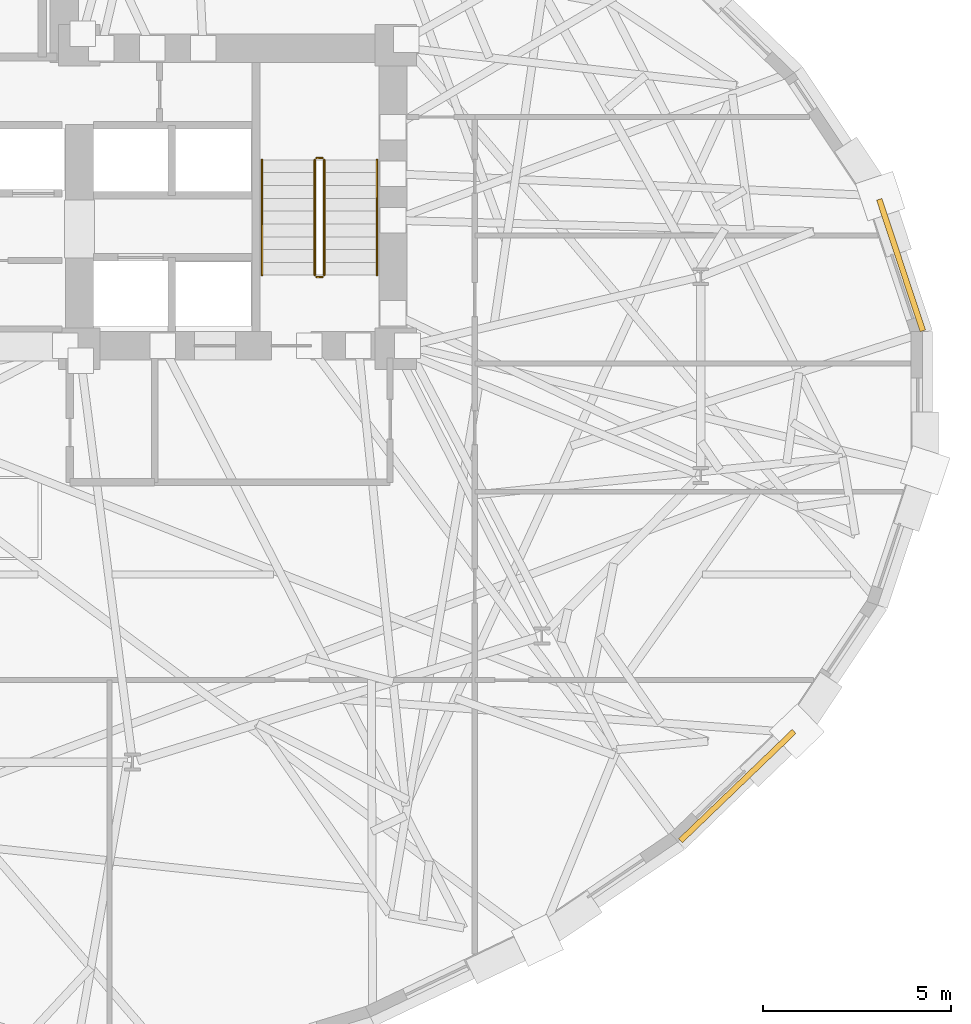
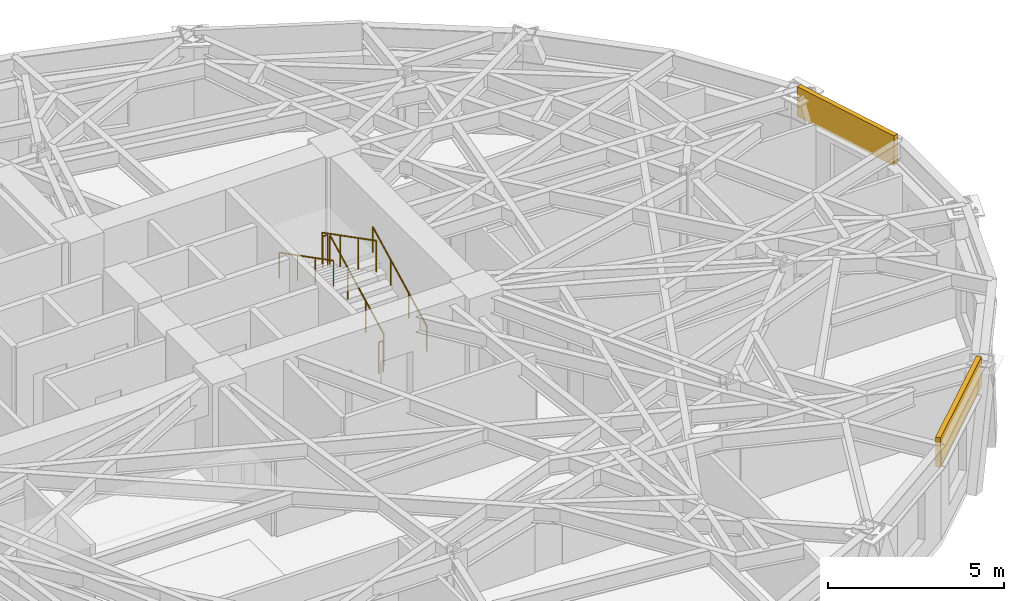
# One storey, part 13 of 14: 6 railings, 2 coverings.
"""IFC4 building model written with IfcOpenShell, lengths in metres."""

from ifc_helpers import new_model, si_unit, direction, frame, origin, origin_2d, place, context, subcontext, project, spatial, rectangle, circle, extrude, material, layer, layer_set, type_object, element, save


model = new_model("IFC4")

# Units and contexts
model_context = context("Model", 3, precision=1e-05, world=origin(), true_north=direction((0.0, 1.0)))
body_context = subcontext(model_context, "Body", "Model", "MODEL_VIEW")
ifc_project = project(units=[si_unit("LENGTHUNIT", "METRE"), si_unit("AREAUNIT", "SQUARE_METRE"), si_unit("VOLUMEUNIT", "CUBIC_METRE"), si_unit("PLANEANGLEUNIT", "RADIAN"), si_unit("MASSUNIT", "GRAM", prefix="KILO")], contexts=[model_context])

# Site, building, storey
site_placement = place(None, origin())
site = spatial("IfcSite", under=ifc_project, at=site_placement, CompositionType="ELEMENT")
building_placement = place(site_placement, origin())
building = spatial("IfcBuilding", under=site, at=building_placement, Name="Keldmark Tower", CompositionType="ELEMENT")
storey_placement = place(building_placement, frame((0.0, 0.0, 100.10009765625)))
storey = spatial("IfcBuildingStorey", under=building, at=storey_placement, Name="L26", CompositionType="ELEMENT", Elevation=100.10009765625)

# Coverings
ifc_material_1 = material(Name="Honed Kasota Buff Dolomitic Limestone", Category="masonry")
ifc_layer = layer(ifc_material_1, 0.074951171875)
ifc_layer_set = layer_set([ifc_layer], Name="Honed Kasota Buff Dolomitic Limestone")
covering_type = type_object("IfcCoveringType", Name="Kasota Buff Limestone Spandrel Cladding Band", PredefinedType="CLADDING", material=ifc_layer_set)
covering_1_placement = place(storey_placement, frame((27.0146484375, 3.617919921875, 2.45166015625), z_axis=(0.0, 0.0, 1.0), x_axis=(-0.314290711278, 0.949326787152, 0.0)))
element("IfcCovering", 1, at=covering_1_placement, inside=storey, type_object=covering_type, Name="L26 Kasota Limestone Spandrel Band 01", PredefinedType="CLADDING", context=body_context, shape_type="SweptSolid", body=[
    extrude(rectangle(XDim=3.67578125, YDim=0.14990234375, at=origin_2d()), origin(), (0.0, 0.0, 1.0), 1.028076171875),
])
covering_2_placement = place(storey_placement, frame((22.6650390625, -10.21630859375, 2.45166015625), z_axis=(0.0, 0.0, 1.0), x_axis=(0.720587417127, 0.693364099357, 0.0)))
element("IfcCovering", 2, at=covering_2_placement, inside=storey, type_object=covering_type, Name="L26 Kasota Limestone Spandrel Band 29", PredefinedType="CLADDING", context=body_context, shape_type="SweptSolid", body=[
    extrude(rectangle(XDim=4.186767578125, YDim=0.14990234375, at=origin_2d()), origin(), (0.0, 0.0, 1.0), 1.028076171875),
])

# Railings
ifc_material_2 = material(Name="Painted Steel ASTM A500 Grade B", Category="steel")
railing_type_1 = type_object("IfcRailingType", Name="Painted Steel Stair Well Guard 1100 mm", PredefinedType="GUARDRAIL", material=ifc_material_2)
railing_1_placement = place(storey_placement, frame((11.699951171875, 3.35009765625, 0.1748046875)))
element("IfcRailing", 3, at=railing_1_placement, inside=storey, type_object=railing_type_1, Name="L26 ST2 stair guard 1", PredefinedType="GUARDRAIL", context=body_context, shape_type="SweptSolid", body=[
    extrude(circle(Radius=0.02392578125, at=origin_2d()), frame((0.0, 0.0, 1.076171875), z_axis=(0.0, 0.889101422983, 0.457710235465), x_axis=(-1.0, 0.0, 0.0)), (0.0, 0.0, 1.0), 3.44140625),
    extrude(circle(Radius=0.02099609375, at=origin_2d()), origin(), (0.0, 0.0, 1.0), 1.052001953125),
    extrude(circle(Radius=0.02099609375, at=origin_2d()), frame((0.0, 1.02001953125, 0.525146484375)), (0.0, 0.0, 1.0), 1.052001953125),
    extrude(circle(Radius=0.02099609375, at=origin_2d()), frame((0.0, 2.039794921875, 1.050048828125)), (0.0, 0.0, 1.0), 1.052001953125),
    extrude(circle(Radius=0.02099609375, at=origin_2d()), frame((0.0, 3.059814453125, 1.5751953125)), (0.0, 0.0, 1.0), 1.052001953125),
])
railing_2_placement = place(storey_placement, frame((11.64990234375, 6.4599609375, 1.75)))
element("IfcRailing", 4, at=railing_2_placement, inside=storey, type_object=railing_type_1, Name="L26 ST2 stair guard 2", PredefinedType="GUARDRAIL", context=body_context, shape_type="SweptSolid", body=[
    extrude(circle(Radius=0.02392578125, at=origin_2d()), frame((0.0, 0.0, 1.076171875), z_axis=(-1.0, 0.0, 0.0), x_axis=(0.0, -1.0, 0.0)), (0.0, 0.0, 1.0), 0.14990234375),
    extrude(circle(Radius=0.02099609375, at=origin_2d()), origin(), (0.0, 0.0, 1.0), 1.052001953125),
    extrude(circle(Radius=0.02099609375, at=origin_2d()), frame((-0.14990234375, 0.0, 0.0)), (0.0, 0.0, 1.0), 1.052001953125),
])
railing_3_placement = place(storey_placement, frame((11.449951171875, 6.409912109375, 1.9248046875)))
element("IfcRailing", 5, at=railing_3_placement, inside=storey, type_object=railing_type_1, Name="L26 ST2 stair guard 3", PredefinedType="GUARDRAIL", context=body_context, shape_type="SweptSolid", body=[
    extrude(circle(Radius=0.02392578125, at=origin_2d()), frame((0.0, 0.0, 1.076171875), z_axis=(0.0, -0.889101422983, 0.457710235465), x_axis=(1.0, 0.0, 0.0)), (0.0, 0.0, 1.0), 3.44140625),
    extrude(circle(Radius=0.02099609375, at=origin_2d()), origin(), (0.0, 0.0, 1.0), 1.052001953125),
    extrude(circle(Radius=0.02099609375, at=origin_2d()), frame((0.0, -1.02001953125, 0.525146484375)), (0.0, 0.0, 1.0), 1.052001953125),
    extrude(circle(Radius=0.02099609375, at=origin_2d()), frame((0.0, -2.039794921875, 1.050048828125)), (0.0, 0.0, 1.0), 1.052001953125),
    extrude(circle(Radius=0.02099609375, at=origin_2d()), frame((0.0, -3.059814453125, 1.5751953125)), (0.0, 0.0, 1.0), 1.052001953125),
])
railing_4_placement = place(storey_placement, frame((11.64990234375, 3.300048828125, 0.0)))
element("IfcRailing", 6, at=railing_4_placement, inside=storey, type_object=railing_type_1, Name="L26 ST2 stair guard 4", PredefinedType="GUARDRAIL", context=body_context, shape_type="SweptSolid", body=[
    extrude(circle(Radius=0.02392578125, at=origin_2d()), frame((0.0, 0.0, 1.076171875), z_axis=(-1.0, 0.0, 0.0), x_axis=(0.0, -1.0, 0.0)), (0.0, 0.0, 1.0), 0.14990234375),
    extrude(circle(Radius=0.02099609375, at=origin_2d()), origin(), (0.0, 0.0, 1.0), 1.052001953125),
    extrude(circle(Radius=0.02099609375, at=origin_2d()), frame((-0.14990234375, 0.0, 0.0)), (0.0, 0.0, 1.0), 1.052001953125),
])
ifc_material_3 = material(Name="Stainless Steel AISI 316L", Category="steel")
railing_type_2 = type_object("IfcRailingType", Name="Stainless Steel Stair Handrail 900 mm", PredefinedType="HANDRAIL", material=ifc_material_3)
railing_5_placement = place(storey_placement, frame((13.10009765625, 3.35009765625, 0.1748046875)))
element("IfcRailing", 7, at=railing_5_placement, inside=storey, type_object=railing_type_2, Name="L26 ST2 stair handrail 1", PredefinedType="HANDRAIL", context=body_context, shape_type="SweptSolid", body=[
    extrude(circle(Radius=0.02392578125, at=origin_2d()), frame((0.0, 0.0, 0.8759765625), z_axis=(0.0, 0.889101422983, 0.457710235465), x_axis=(-1.0, 0.0, 0.0)), (0.0, 0.0, 1.0), 3.44140625),
    extrude(circle(Radius=0.02099609375, at=origin_2d()), origin(), (0.0, 0.0, 1.0), 0.851806640625),
    extrude(circle(Radius=0.02099609375, at=origin_2d()), frame((0.0, 1.02001953125, 0.525146484375)), (0.0, 0.0, 1.0), 0.851806640625),
    extrude(circle(Radius=0.02099609375, at=origin_2d()), frame((0.0, 2.039794921875, 1.050048828125)), (0.0, 0.0, 1.0), 0.851806640625),
    extrude(circle(Radius=0.02099609375, at=origin_2d()), frame((0.0, 3.059814453125, 1.5751953125)), (0.0, 0.0, 1.0), 0.851806640625),
])
railing_6_placement = place(storey_placement, frame((10.050048828125, 6.409912109375, 1.9248046875)))
element("IfcRailing", 8, at=railing_6_placement, inside=storey, type_object=railing_type_2, Name="L26 ST2 stair handrail 2", PredefinedType="HANDRAIL", context=body_context, shape_type="SweptSolid", body=[
    extrude(circle(Radius=0.02392578125, at=origin_2d()), frame((0.0, 0.0, 0.8759765625), z_axis=(0.0, -0.889101422983, 0.457710235465), x_axis=(1.0, 0.0, 0.0)), (0.0, 0.0, 1.0), 3.44140625),
    extrude(circle(Radius=0.02099609375, at=origin_2d()), origin(), (0.0, 0.0, 1.0), 0.851806640625),
    extrude(circle(Radius=0.02099609375, at=origin_2d()), frame((0.0, -1.02001953125, 0.525146484375)), (0.0, 0.0, 1.0), 0.851806640625),
    extrude(circle(Radius=0.02099609375, at=origin_2d()), frame((0.0, -2.039794921875, 1.050048828125)), (0.0, 0.0, 1.0), 0.851806640625),
    extrude(circle(Radius=0.02099609375, at=origin_2d()), frame((0.0, -3.059814453125, 1.5751953125)), (0.0, 0.0, 1.0), 0.851806640625),
])

save(model, "model.ifc")
